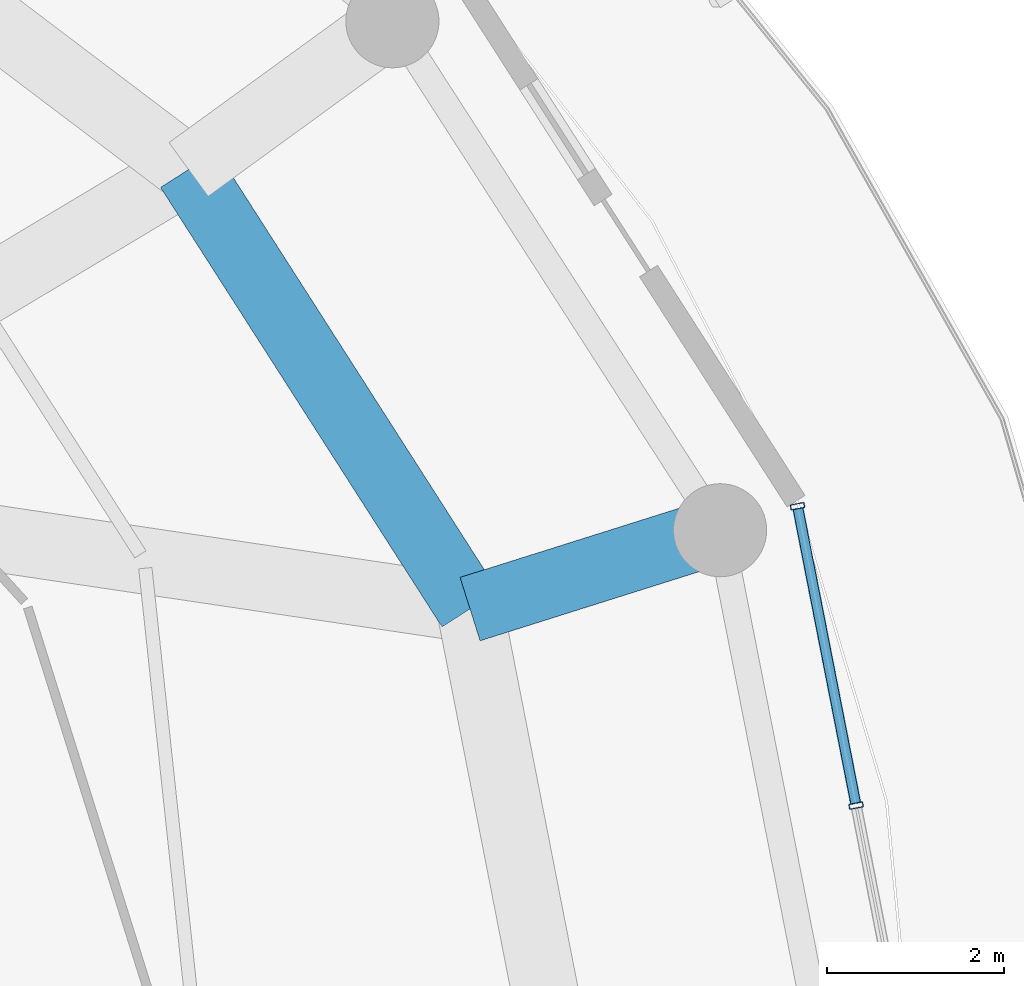
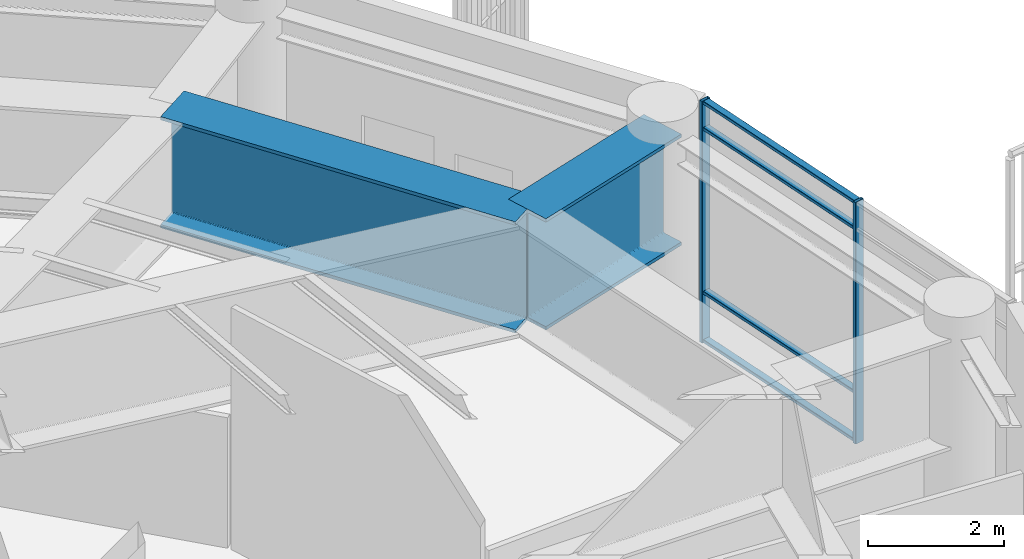
# One storey, part 15 of 29: 6 members, 2 beams, 1 element without a shape of its own.
"""IFC4 building model written with IfcOpenShell, lengths in metres."""

from ifc_helpers import new_model, si_unit, direction, frame, origin, origin_2d, place, context, subcontext, project, spatial, hollow_rectangle, i_section, extrude, material, layer, layer_set, material_profile, profile_set, type_object, element, aggregate, save


model = new_model("IFC4")

# Units and contexts
model_context = context("Model", 3, precision=1e-05, world=origin(), true_north=direction((0.0, 1.0)))
body_context = subcontext(model_context, "Body", "Model", "MODEL_VIEW")
ifc_project = project(units=[si_unit("LENGTHUNIT", "METRE"), si_unit("AREAUNIT", "SQUARE_METRE"), si_unit("VOLUMEUNIT", "CUBIC_METRE"), si_unit("PLANEANGLEUNIT", "RADIAN"), si_unit("MASSUNIT", "GRAM", prefix="KILO")], contexts=[model_context])

# Site, building, storey
site_placement = place(None, origin())
site = spatial("IfcSite", under=ifc_project, at=site_placement, CompositionType="ELEMENT")
building_placement = place(site_placement, origin())
building = spatial("IfcBuilding", under=site, at=building_placement, Name="Kelanora Arch Commons", CompositionType="ELEMENT")
storey_placement = place(building_placement, frame((0.0, 0.0, 238.199951171875)))
storey = spatial("IfcBuildingStorey", under=building, at=storey_placement, Name="L61", CompositionType="ELEMENT", Elevation=238.199951171875)

# Beams
ifc_material_1 = material(Name="Steel S355", Category="steel")
ifc_material_profile_1 = material_profile(ifc_material_1, i_section(OverallWidth=0.75, OverallDepth=2.0, WebThickness=0.034912109375, FlangeThickness=0.06005859375, FilletRadius=0.028076171875, at=origin_2d()), Name="PG2000x750")
ifc_profile_set_1 = profile_set([ifc_material_profile_1], Name="Steel S355")
beam_type = type_object("IfcBeamType", Name="BM-XFER-SET", PredefinedType="USERDEFINED", material=ifc_profile_set_1)
beam_1_placement = place(storey_placement, frame((91.177490234375, 63.636474609375, 3.360107421875), z_axis=(0.953687459381, 0.300799318184, 0.0), x_axis=(-0.300799318184, 0.953687459381, 0.0)))
element("IfcBeam", 1, at=beam_1_placement, inside=storey, type_object=beam_type, Name="Radial Floor Girder BR-02 L61", ObjectType="TRANSFER_GIRDER", PredefinedType="USERDEFINED", context=body_context, shape_type="SweptSolid", body=[
    extrude(i_section(OverallWidth=0.75, OverallDepth=2.0, WebThickness=0.034912109375, FlangeThickness=0.06005859375, FilletRadius=0.028076171875, at=origin_2d()), origin(), (0.0, 0.0, 1.0), 2.9560546875),
])
beam_2_placement = place(storey_placement, frame((91.177490234375, 63.636474609375, 3.360107421875), z_axis=(-0.539280851353, 0.842125978322, 0.0), x_axis=(-0.842125978322, -0.539280851353, 0.0)))
element("IfcBeam", 2, at=beam_2_placement, inside=storey, type_object=beam_type, Name="Setback Inner Transfer Ring BSI-02 L61", ObjectType="TRANSFER_GIRDER", PredefinedType="USERDEFINED", context=body_context, shape_type="SweptSolid", body=[
    extrude(i_section(OverallWidth=0.75, OverallDepth=2.0, WebThickness=0.034912109375, FlangeThickness=0.06005859375, FilletRadius=0.028076171875, at=origin_2d()), origin(), (0.0, 0.0, 1.0), 5.8857421875),
])

# Curtain wall, members
ifc_material_2 = material(Name="Terracotta ceramic-fritted low-E glass and aluminium", Category="masonry")
ifc_layer = layer(ifc_material_2, 0.175048828125)
ifc_layer_set = layer_set([ifc_layer], Name="Terracotta ceramic-fritted low-E glass and aluminium")
curtain_wall_type = type_object("IfcCurtainWallType", Name="CW-SYS-02", PredefinedType="NOTDEFINED", material=ifc_layer_set)
curtain_wall_placement = place(storey_placement, origin())
curtain_wall = element("IfcCurtainWall", 3, at=curtain_wall_placement, inside=storey, type_object=curtain_wall_type, Name="Unitised Curtain Wall L61-B00", PredefinedType="NOTDEFINED")
ifc_material_3 = material(Name="Powder-coated aluminium terracotta", Category="masonry")
ifc_material_profile_2 = material_profile(ifc_material_3, hollow_rectangle(XDim=0.159912109375, YDim=0.06005859375, WallThickness=0.0048828125, InnerFilletRadius=0.0048828125, OuterFilletRadius=0.010009765625, at=origin_2d()), Name="CWM160x60")
ifc_profile_set_2 = profile_set([ifc_material_profile_2], Name="Powder-coated aluminium terracotta")
member_type_1 = type_object("IfcMemberType", Name="CWM-STD", PredefinedType="MULLION", material=ifc_profile_set_2)
member_1_placement = place(storey_placement, frame((95.530517578125, 61.420166015625, 0.0), z_axis=(0.0, 0.0, 1.0), x_axis=(-0.981381438349, -0.192068926335, 0.0)))
member_1 = element("IfcMember", 4, at=member_1_placement, type_object=member_type_1, Name="CW-02 mullion 2", PredefinedType="MULLION", context=body_context, shape_type="SweptSolid", body=[
    extrude(hollow_rectangle(XDim=0.159912109375, YDim=0.06005859375, WallThickness=0.0048828125, InnerFilletRadius=0.0048828125, OuterFilletRadius=0.010009765625, at=origin_2d()), origin(), (0.0, 0.0, 1.0), 4.344970703125),
])
member_2_placement = place(storey_placement, frame((94.869873046875, 64.796142578125, 0.0), z_axis=(0.0, 0.0, 1.0), x_axis=(-0.981381438349, -0.192068926335, 0.0)))
member_2 = element("IfcMember", 5, at=member_2_placement, type_object=member_type_1, Name="CW-02 mullion 3", PredefinedType="MULLION", context=body_context, shape_type="SweptSolid", body=[
    extrude(hollow_rectangle(XDim=0.159912109375, YDim=0.06005859375, WallThickness=0.0048828125, InnerFilletRadius=0.0048828125, OuterFilletRadius=0.010009765625, at=origin_2d()), origin(), (0.0, 0.0, 1.0), 4.344970703125),
])
ifc_material_profile_3 = material_profile(ifc_material_3, hollow_rectangle(XDim=0.1201171875, YDim=0.06005859375, WallThickness=0.0048828125, InnerFilletRadius=0.0048828125, OuterFilletRadius=0.010009765625, at=origin_2d()), Name="CWT120x60")
ifc_profile_set_3 = profile_set([ifc_material_profile_3], Name="Powder-coated aluminium terracotta")
member_type_2 = type_object("IfcMemberType", Name="CWT-STD", PredefinedType="USERDEFINED", material=ifc_profile_set_3)
member_3_placement = place(storey_placement, frame((95.52490234375, 61.44970703125, 0.030029296875), z_axis=(-0.192058488005, 0.981383481207, 0.0), x_axis=(-0.981383481207, -0.192058488005, 0.0)))
member_3 = element("IfcMember", 6, at=member_3_placement, type_object=member_type_2, Name="CW-02 transom 2.1", ObjectType="TRANSOM", PredefinedType="USERDEFINED", context=body_context, shape_type="SweptSolid", body=[
    extrude(hollow_rectangle(XDim=0.1201171875, YDim=0.06005859375, WallThickness=0.0048828125, InnerFilletRadius=0.0048828125, OuterFilletRadius=0.010009765625, at=origin_2d()), origin(), (0.0, 0.0, 1.0), 3.380126953125),
])
member_4_placement = place(storey_placement, frame((95.52490234375, 61.44970703125, 0.900146484375), z_axis=(-0.192058488005, 0.981383481207, 0.0), x_axis=(-0.981383481207, -0.192058488005, 0.0)))
member_4 = element("IfcMember", 7, at=member_4_placement, type_object=member_type_2, Name="CW-02 transom 2.2", ObjectType="TRANSOM", PredefinedType="USERDEFINED", context=body_context, shape_type="SweptSolid", body=[
    extrude(hollow_rectangle(XDim=0.1201171875, YDim=0.06005859375, WallThickness=0.0048828125, InnerFilletRadius=0.0048828125, OuterFilletRadius=0.010009765625, at=origin_2d()), origin(), (0.0, 0.0, 1.0), 3.380126953125),
])
member_5_placement = place(storey_placement, frame((95.52490234375, 61.44970703125, 3.844970703125), z_axis=(-0.192058488005, 0.981383481207, 0.0), x_axis=(-0.981383481207, -0.192058488005, 0.0)))
member_5 = element("IfcMember", 8, at=member_5_placement, type_object=member_type_2, Name="CW-02 transom 2.3", ObjectType="TRANSOM", PredefinedType="USERDEFINED", context=body_context, shape_type="SweptSolid", body=[
    extrude(hollow_rectangle(XDim=0.1201171875, YDim=0.06005859375, WallThickness=0.0048828125, InnerFilletRadius=0.0048828125, OuterFilletRadius=0.010009765625, at=origin_2d()), origin(), (0.0, 0.0, 1.0), 3.380126953125),
])
member_6_placement = place(storey_placement, frame((95.52490234375, 61.44970703125, 4.31494140625), z_axis=(-0.192058488005, 0.981383481207, 0.0), x_axis=(-0.981383481207, -0.192058488005, 0.0)))
member_6 = element("IfcMember", 9, at=member_6_placement, type_object=member_type_2, Name="CW-02 transom 2.4", ObjectType="TRANSOM", PredefinedType="USERDEFINED", context=body_context, shape_type="SweptSolid", body=[
    extrude(hollow_rectangle(XDim=0.1201171875, YDim=0.06005859375, WallThickness=0.0048828125, InnerFilletRadius=0.0048828125, OuterFilletRadius=0.010009765625, at=origin_2d()), origin(), (0.0, 0.0, 1.0), 3.380126953125),
])
aggregate(curtain_wall, [member_1, member_2, member_3, member_4, member_5, member_6])

save(model, "model.ifc")
